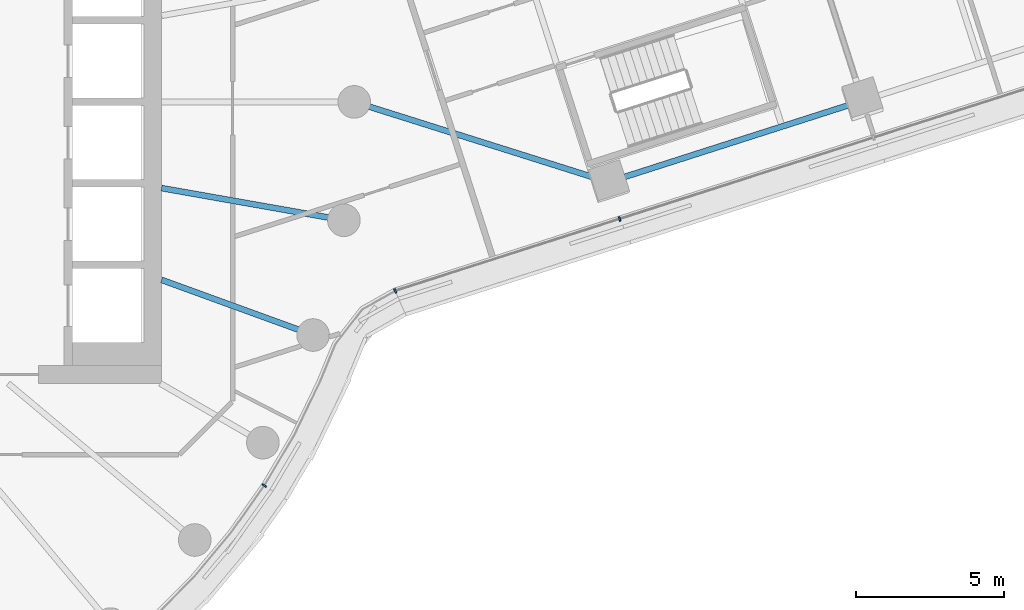
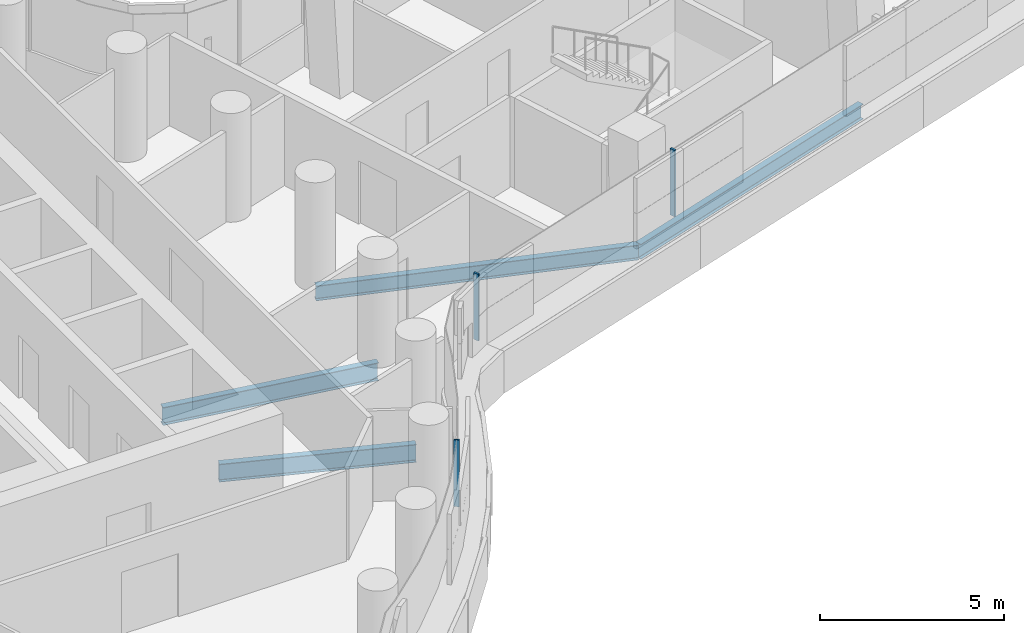
# One storey, part 9 of 30: 4 beams, 3 members, 2 elements without a shape of their own.
"""IFC4 building model written with IfcOpenShell, lengths in metres."""

from ifc_helpers import new_model, si_unit, direction, frame, origin, origin_2d, place, context, subcontext, project, spatial, rectangle, i_section, extrude, material, layer, layer_set, material_profile, profile_set, type_object, element, aggregate, save


model = new_model("IFC4")

# Units and contexts
model_context = context("Model", 3, precision=1e-05, world=origin(), true_north=direction((0.0, 1.0)))
body_context = subcontext(model_context, "Body", "Model", "MODEL_VIEW")
ifc_project = project(units=[si_unit("LENGTHUNIT", "METRE"), si_unit("AREAUNIT", "SQUARE_METRE"), si_unit("VOLUMEUNIT", "CUBIC_METRE"), si_unit("PLANEANGLEUNIT", "RADIAN"), si_unit("MASSUNIT", "GRAM", prefix="KILO")], contexts=[model_context])

# Site, building, storey
site_placement = place(None, origin())
site = spatial("IfcSite", under=ifc_project, at=site_placement, CompositionType="ELEMENT")
building_placement = place(site_placement, origin())
building = spatial("IfcBuilding", under=site, at=building_placement, Name="Tamarind Cross Interchange Tower", CompositionType="ELEMENT")
storey_placement = place(building_placement, frame((0.0, 0.0, 98.5)))
storey = spatial("IfcBuildingStorey", under=building, at=storey_placement, Name="L23", CompositionType="ELEMENT", Elevation=98.5)

# Beams
ifc_material_1 = material(Name="Steel Q355B", Category="steel")
ifc_material_profile_1 = material_profile(ifc_material_1, i_section(OverallWidth=0.198974609375, OverallDepth=0.49609375, WebThickness=0.009033203125, FlangeThickness=0.013916015625, FilletRadius=0.012939453125, at=origin_2d()), Name="HN 496x199x9x14")
ifc_profile_set_1 = profile_set([ifc_material_profile_1], Name="Steel Q355B")
beam_type_1 = type_object("IfcBeamType", Name="Composite beam HN 496x199x9x14 Q355B", PredefinedType="BEAM", material=ifc_profile_set_1)
beam_1_placement = place(storey_placement, frame((40.153076171875, 0.03955078125, -0.387939453125), z_axis=(-0.952336859309, -0.305048367314, 0.0), x_axis=(0.305048367314, -0.952336859309, 0.0)))
element("IfcBeam", 1, at=beam_1_placement, inside=storey, type_object=beam_type_1, Name="Beam E-edgeem6", PredefinedType="BEAM", context=body_context, shape_type="SweptSolid", body=[
    extrude(i_section(OverallWidth=0.198974609375, OverallDepth=0.49609375, WebThickness=0.009033203125, FlangeThickness=0.013916015625, FilletRadius=0.012939453125, at=origin_2d()), origin(), (0.0, 0.0, 1.0), 8.999755859375),
])
beam_2_placement = place(storey_placement, frame((31.582275390625, -2.705810546875, -0.387939453125), z_axis=(-0.953722384081, 0.300688566631, 0.0), x_axis=(-0.300688566631, -0.953722384081, 0.0)))
element("IfcBeam", 2, at=beam_2_placement, inside=storey, type_object=beam_type_1, Name="Beam E-linkem", PredefinedType="BEAM", context=body_context, shape_type="SweptSolid", body=[
    extrude(i_section(OverallWidth=0.198974609375, OverallDepth=0.49609375, WebThickness=0.009033203125, FlangeThickness=0.013916015625, FilletRadius=0.012939453125, at=origin_2d()), origin(), (0.0, 0.0, 1.0), 8.998779296875),
])
ifc_material_profile_2 = material_profile(ifc_material_1, i_section(OverallWidth=0.198974609375, OverallDepth=0.595947265625, WebThickness=0.010009765625, FlangeThickness=0.014892578125, FilletRadius=0.012939453125, at=origin_2d()), Name="HN 596x199x10x15")
ifc_profile_set_2 = profile_set([ifc_material_profile_2], Name="Steel Q355B")
beam_type_2 = type_object("IfcBeamType", Name="Composite beam HN 596x199x10x15 Q355B", PredefinedType="BEAM", material=ifc_profile_set_2)
beam_3_placement = place(storey_placement, frame((21.613037109375, -7.866455078125, -0.43798828125), z_axis=(-0.939701685589, 0.341995236956, 0.0), x_axis=(-0.341995236956, -0.939701685589, 0.0)))
element("IfcBeam", 3, at=beam_3_placement, inside=storey, type_object=beam_type_2, Name="Beam HH34", PredefinedType="BEAM", context=body_context, shape_type="SweptSolid", body=[
    extrude(i_section(OverallWidth=0.198974609375, OverallDepth=0.595947265625, WebThickness=0.010009765625, FlangeThickness=0.014892578125, FilletRadius=0.012939453125, at=origin_2d()), origin(), (0.0, 0.0, 1.0), 5.441162109375),
])
beam_4_placement = place(storey_placement, frame((22.650634765625, -3.993896484375, -0.43798828125), z_axis=(-0.984809127561, 0.173640382036, 0.0), x_axis=(-0.173640382036, -0.984809127561, 0.0)))
element("IfcBeam", 4, at=beam_4_placement, inside=storey, type_object=beam_type_2, Name="Beam HH35", PredefinedType="BEAM", context=body_context, shape_type="SweptSolid", body=[
    extrude(i_section(OverallWidth=0.198974609375, OverallDepth=0.595947265625, WebThickness=0.010009765625, FlangeThickness=0.014892578125, FilletRadius=0.012939453125, at=origin_2d()), origin(), (0.0, 0.0, 1.0), 6.24560546875),
])

# Curtain wall, member
ifc_material_2 = material(Name="Aluminium 6063-T6", Category="aluminium")
ifc_layer = layer(ifc_material_2, 0.159912109375)
ifc_layer_set = layer_set([ifc_layer], Name="Aluminium 6063-T6")
curtain_wall_type = type_object("IfcCurtainWallType", Name="Office curtain wall, 9.0 m bays", PredefinedType="NOTDEFINED", material=ifc_layer_set)
curtain_wall_1_placement = place(storey_placement, origin())
curtain_wall_1 = element("IfcCurtainWall", 5, at=curtain_wall_1_placement, inside=storey, type_object=curtain_wall_type, Name="CWS-L23-14", PredefinedType="NOTDEFINED")
ifc_material_profile_3 = material_profile(ifc_material_2, rectangle(XDim=0.06005859375, YDim=0.159912109375, at=origin_2d()), Name="Mullion CW1")
ifc_profile_set_3 = profile_set([ifc_material_profile_3], Name="Aluminium 6063-T6")
member_type = type_object("IfcMemberType", Name="Mullion CW1", PredefinedType="MULLION", material=ifc_profile_set_3)
member_1_placement = place(storey_placement, frame((19.9677734375, -12.942138671875, 1.39990234375), z_axis=(0.0, 0.0, 1.0), x_axis=(0.577568978284, 0.816341886298, 0.0)))
member_1 = element("IfcMember", 6, at=member_1_placement, type_object=member_type, Name="CWM-L23-14-02", PredefinedType="MULLION", context=body_context, shape_type="SweptSolid", body=[
    extrude(rectangle(XDim=0.06005859375, YDim=0.159912109375, at=origin_2d()), origin(), (0.0, 0.0, 1.0), 2.210205078125),
])
aggregate(curtain_wall_1, [member_1])

# Curtain wall, members
curtain_wall_2_placement = place(storey_placement, origin())
curtain_wall_2 = element("IfcCurtainWall", 7, at=curtain_wall_2_placement, inside=storey, type_object=curtain_wall_type, Name="CWS-L23-15", PredefinedType="NOTDEFINED")
member_2_placement = place(storey_placement, frame((24.3828125, -6.377197265625, 1.39990234375), z_axis=(0.0, 0.0, 1.0), x_axis=(0.916742364941, 0.399478956045, 0.0)))
member_2 = element("IfcMember", 8, at=member_2_placement, type_object=member_type, Name="CWM-L23-15-00", PredefinedType="MULLION", context=body_context, shape_type="SweptSolid", body=[
    extrude(rectangle(XDim=0.06005859375, YDim=0.159912109375, at=origin_2d()), origin(), (0.0, 0.0, 1.0), 2.210205078125),
])
member_3_placement = place(storey_placement, frame((31.95751953125, -3.95068359375, 1.39990234375), z_axis=(0.0, 0.0, 1.0), x_axis=(0.95233405785, 0.305057113111, 0.0)))
member_3 = element("IfcMember", 9, at=member_3_placement, type_object=member_type, Name="CWM-L23-15-01", PredefinedType="MULLION", context=body_context, shape_type="SweptSolid", body=[
    extrude(rectangle(XDim=0.06005859375, YDim=0.159912109375, at=origin_2d()), origin(), (0.0, 0.0, 1.0), 2.210205078125),
])
aggregate(curtain_wall_2, [member_2, member_3])

save(model, "model.ifc")
